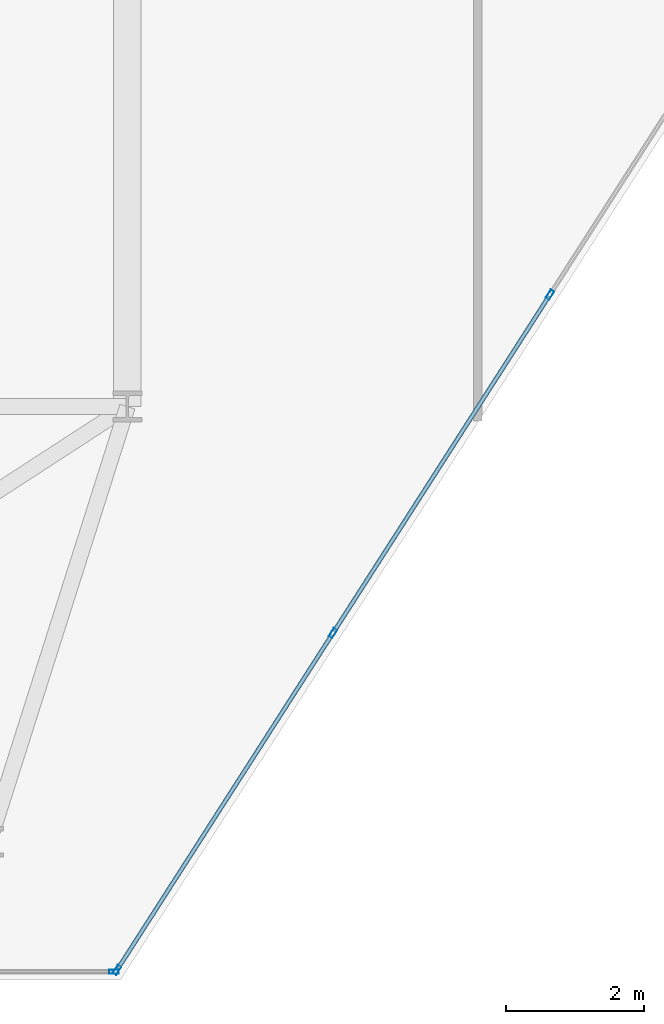
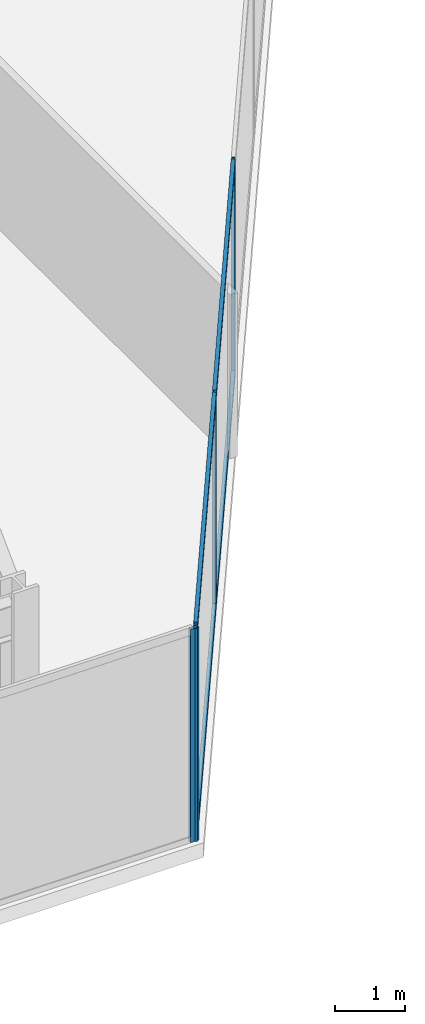
# One storey, part 7 of 26: 8 members, 2 elements without a shape of their own.
"""IFC4 building model written with IfcOpenShell, lengths in metres."""

import ifcopenshell
import ifcopenshell.guid

model = None  # the IFC model being written
_history = None  # IfcOwnerHistory: only IFC2X3 demands one
_inside = {}  # id of a spatial element -> (the spatial element, [elements in it])
_under = {}  # id of a project, library or spatial element -> (it, [spatial elements below it])
_declared = {}  # id of a project -> (the project, [libraries it declares])
_typed = {}  # id of a type object -> (the type object, [elements of that type])
_made_of = {}  # id of a material, layer set ... -> (it, [elements and type objects made of it])


def new_model(schema):
    """Start an empty IFC model of exactly this schema.

    Asked for "IFC4X3", IfcOpenShell would pick the latest addendum, in which some entities
    have other attributes; the version numbers below select the first issue.
    IFC2X3 requires an IfcOwnerHistory on every rooted entity: one is made here for all.
    """
    global model, _history
    if schema == "IFC4X3":
        model = ifcopenshell.file(schema_version=(4, 3, 0, 0))
    else:
        model = ifcopenshell.file(schema=schema)
    _inside.clear()
    _under.clear()
    _declared.clear()
    _typed.clear()
    _made_of.clear()
    _history = None
    if model.schema == "IFC2X3":
        org = make("IfcOrganization", Name="unknown")
        user = make(
            "IfcPersonAndOrganization",
            ThePerson=make("IfcPerson", FamilyName="unknown"),
            TheOrganization=org,
        )
        app = make(
            "IfcApplication",
            ApplicationDeveloper=org,
            Version="unknown",
            ApplicationFullName="unknown",
            ApplicationIdentifier="unknown",
        )
        _history = make(
            "IfcOwnerHistory",
            OwningUser=user,
            OwningApplication=app,
            ChangeAction="ADDED",
            CreationDate=0,
        )
    return model


def make(cls, **values):
    """One entity of the class cls with the attributes given. An attribute that is None is left unset."""
    return model.create_entity(
        cls, **{name: value for name, value in values.items() if value is not None}
    )


def rooted(cls, **values):
    """An entity with a GlobalId (a new one), such as an element, a storey or a relation."""
    return make(cls, GlobalId=ifcopenshell.guid.new(), OwnerHistory=_history, **values)


def si_unit(unit_type, name, prefix=None):
    """IfcSIUnit, for example si_unit("LENGTHUNIT", "METRE", prefix="MILLI")."""
    return make("IfcSIUnit", UnitType=unit_type, Prefix=prefix, Name=name)


def assignment(units):
    """IfcUnitAssignment: the units of a project."""
    return None if units is None else make("IfcUnitAssignment", Units=units)


def point(xyz):
    """IfcCartesianPoint."""
    return None if xyz is None else make("IfcCartesianPoint", Coordinates=xyz)


def direction(xyz):
    """IfcDirection."""
    return None if xyz is None else make("IfcDirection", DirectionRatios=xyz)


def frame(location, z_axis=None, x_axis=None):
    """IfcAxis2Placement3D, a coordinate frame: its origin and axes. An axis left out is left unset."""
    return make(
        "IfcAxis2Placement3D",
        Location=point(location),
        Axis=direction(z_axis),
        RefDirection=direction(x_axis),
    )


def frame_2d(location, x_axis=None):
    """IfcAxis2Placement2D, a coordinate frame in the plane: its origin and x axis."""
    return make(
        "IfcAxis2Placement2D", Location=point(location), RefDirection=direction(x_axis)
    )


def origin():
    """The frame at (0, 0, 0) with its axes left unset."""
    return frame((0.0, 0.0, 0.0))


def origin_2d():
    """The frame at (0, 0) in the plane with its x axis left unset."""
    return frame_2d((0.0, 0.0))


def place(relative_to, where):
    """IfcLocalPlacement: puts the frame where relative to a parent placement (None: the world)."""
    return make(
        "IfcLocalPlacement", PlacementRelTo=relative_to, RelativePlacement=where
    )


def context(
    kind, dimensions, precision=None, world=None, true_north=None, identifier=None
):
    """IfcGeometricRepresentationContext, for example the 3D "Model" context."""
    return make(
        "IfcGeometricRepresentationContext",
        ContextIdentifier=identifier,
        ContextType=kind,
        CoordinateSpaceDimension=dimensions,
        Precision=precision,
        WorldCoordinateSystem=world,
        TrueNorth=true_north,
    )


def subcontext(parent, identifier, kind, view, scale=None):
    """IfcGeometricRepresentationSubContext, for example "Body" below "Model"."""
    return make(
        "IfcGeometricRepresentationSubContext",
        ContextIdentifier=identifier,
        ContextType=kind,
        ParentContext=parent,
        TargetScale=scale,
        TargetView=view,
    )


def project(units=None, contexts=None):
    """IfcProject with its units and contexts."""
    return rooted(
        "IfcProject",
        Name="project",
        RepresentationContexts=contexts,
        UnitsInContext=assignment(units),
    )


def spatial(cls, under=None, at=None, **own):
    """A site, building, storey or space (cls), placed at a placement, below another one or the project."""
    s = rooted(cls, ObjectPlacement=at, **own)
    if under is not None:
        _under.setdefault(under.id(), (under, []))[1].append(s)
    return s


def profile(cls, at=None, kind="AREA", **sizes):
    """A parametric profile (cls). Its sizes go by their IFC names, for example OverallWidth=200.0."""
    return make(cls, ProfileType=kind, Position=at, **sizes)


def hollow_rectangle(**sizes):
    """IfcRectangleHollowProfileDef."""
    return profile("IfcRectangleHollowProfileDef", **sizes)


def extrude(swept, where, along, depth):
    """IfcExtrudedAreaSolid: the profile swept, set in the frame where, extruded along a direction by depth."""
    return make(
        "IfcExtrudedAreaSolid",
        SweptArea=swept,
        Position=where,
        ExtrudedDirection=direction(along),
        Depth=depth,
    )


def shape(context_of_items, identifier, shape_type, items):
    """IfcShapeRepresentation: the items that make up one representation, for example the "Body"."""
    return make(
        "IfcShapeRepresentation",
        ContextOfItems=context_of_items,
        RepresentationIdentifier=identifier,
        RepresentationType=shape_type,
        Items=items,
    )


def material(Name=None, Category=None):
    """IfcMaterial."""
    return make("IfcMaterial", Name=Name, Category=Category)


def layer(
    of_material, thickness, ventilated=None, Name=None, Category=None, Priority=None
):
    """IfcMaterialLayer: one layer of a wall or slab, of a material (None: an air gap)."""
    return make(
        "IfcMaterialLayer",
        Material=of_material,
        LayerThickness=thickness,
        IsVentilated=ventilated,
        Name=Name,
        Category=Category,
        Priority=Priority,
    )


def layer_set(layers, Name=None):
    """IfcMaterialLayerSet."""
    return make("IfcMaterialLayerSet", MaterialLayers=layers, LayerSetName=Name)


def material_profile(
    of_material, cross_section, Name=None, Category=None, Priority=None
):
    """IfcMaterialProfile: a cross section and its material."""
    return make(
        "IfcMaterialProfile",
        Name=Name,
        Material=of_material,
        Profile=cross_section,
        Priority=Priority,
        Category=Category,
    )


def profile_set(profiles, Name=None, composite=None):
    """IfcMaterialProfileSet."""
    return make(
        "IfcMaterialProfileSet",
        Name=Name,
        MaterialProfiles=profiles,
        CompositeProfile=composite,
    )


def made_of(thing, what):
    """Note that an element or type object is made of a material, layer set ...; save() writes the relation."""
    if what is not None:
        _made_of.setdefault(what.id(), (what, []))[1].append(thing)
    return thing


def type_object(cls, material=None, **own):
    """A type object (cls), such as IfcWallType, which elements share."""
    return made_of(rooted(cls, **own), material)


def element(
    cls,
    number,
    at=None,
    inside=None,
    cuts=None,
    type_object=None,
    material=None,
    context=None,
    identifier="Body",
    shape_type=None,
    held_by="IfcProductDefinitionShape",
    body=None,
    shapes=None,
    **own,
):
    """One element of the class cls, such as IfcWall. Its Tag is "e" and its number.

    at: its placement. inside: the storey or other place that contains it. cuts: it is an
    opening in that element (IfcRelVoidsElement). A single representation is given by context,
    identifier, shape_type and body (its items); several are given by shapes. held_by: the class
    of the entity that holds the representations. save() writes the other relations.
    """
    e = rooted(cls, Tag="e%d" % number, ObjectPlacement=at, **own)
    if body is not None:
        shapes = [shape(context, identifier, shape_type, body)]
    if shapes is not None:
        e.Representation = make(held_by, Representations=shapes)
    if inside is not None:
        _inside.setdefault(inside.id(), (inside, []))[1].append(e)
    if cuts is not None:
        rooted(
            "IfcRelVoidsElement", RelatingBuildingElement=cuts, RelatedOpeningElement=e
        )
    if type_object is not None:
        _typed.setdefault(type_object.id(), (type_object, []))[1].append(e)
    return made_of(e, material)


def aggregate(whole, parts):
    """IfcRelAggregates: a whole, such as a stair, and the parts it consists of."""
    return rooted("IfcRelAggregates", RelatingObject=whole, RelatedObjects=parts)


def save(model, path):
    """Write the relations noted so far, then the file.

    IfcRelAggregates (storeys below a building ...), IfcRelContainedInSpatialStructure (elements
    in a storey), IfcRelDefinesByType, IfcRelAssociatesMaterial and IfcRelDeclares: one each for
    every whole, place, type object, material and project.
    """
    for whole, parts in _under.values():
        aggregate(whole, parts)
    for where, things in _inside.values():
        rooted(
            "IfcRelContainedInSpatialStructure",
            RelatedElements=things,
            RelatingStructure=where,
        )
    for kind, things in _typed.values():
        rooted("IfcRelDefinesByType", RelatedObjects=things, RelatingType=kind)
    for what, things in _made_of.values():
        rooted("IfcRelAssociatesMaterial", RelatedObjects=things, RelatingMaterial=what)
    for by, libraries in _declared.values():
        rooted("IfcRelDeclares", RelatingContext=by, RelatedDefinitions=libraries)
    model.write(path)


model = new_model("IFC4")

# Units and contexts
model_context = context("Model", 3, precision=1e-05, world=origin(), true_north=direction((0.0, 1.0)))
body_context = subcontext(model_context, "Body", "Model", "MODEL_VIEW")
ifc_project = project(units=[si_unit("LENGTHUNIT", "METRE"), si_unit("AREAUNIT", "SQUARE_METRE"), si_unit("VOLUMEUNIT", "CUBIC_METRE"), si_unit("PLANEANGLEUNIT", "RADIAN"), si_unit("MASSUNIT", "GRAM", prefix="KILO")], contexts=[model_context])

# Site, building, storey
site_placement = place(None, origin())
site = spatial("IfcSite", under=ifc_project, at=site_placement, CompositionType="ELEMENT")
building_placement = place(site_placement, origin())
building = spatial("IfcBuilding", under=site, at=building_placement, Name="Kravanh Interchange Tower", CompositionType="ELEMENT")
storey_placement = place(building_placement, frame((0.0, 0.0, 152.0)))
storey = spatial("IfcBuildingStorey", under=building, at=storey_placement, Name="L36", CompositionType="ELEMENT", Elevation=152.0)

# Curtain wall, members
ifc_material_1 = material(Name="Anodised Bronze Aluminium", Category="aluminium")
ifc_layer = layer(ifc_material_1, 0.179931640625)
ifc_layer_set = layer_set([ifc_layer], Name="Unitised Curtain Wall System CW-Z2 Mid Office")
curtain_wall_type = type_object("IfcCurtainWallType", Name="Unitised Curtain Wall System CW-Z2 Mid Office", PredefinedType="NOTDEFINED", material=ifc_layer_set)
curtain_wall_1_placement = place(storey_placement, origin())
curtain_wall_1 = element("IfcCurtainWall", 1, at=curtain_wall_1_placement, inside=storey, type_object=curtain_wall_type, Name="L36 Unitised Curtain Wall CW-L36-05", PredefinedType="NOTDEFINED")
ifc_material_2 = material(Name="Anodised Bronze Aluminium", Category="aluminium")
ifc_material_profile_1 = material_profile(ifc_material_2, hollow_rectangle(XDim=0.06005859375, YDim=0.139892578125, WallThickness=0.00390625, at=origin_2d()), Name="ALU60X140X4")
ifc_profile_set_1 = profile_set([ifc_material_profile_1], Name="Anodised Bronze Aluminium")
member_type_1 = type_object("IfcMemberType", Name="Curtain Wall Mullion ALU60X140X4 Bronze", PredefinedType="MULLION", material=ifc_profile_set_1)
member_1_placement = place(storey_placement, frame((33.317138671875, 16.12109375, 0.0), z_axis=(0.0, 0.0, 1.0), x_axis=(0.841879939476, -0.539664865919, 0.0)))
member_1 = element("IfcMember", 2, at=member_1_placement, type_object=member_type_1, Name="CW-Z2 mullion 3", PredefinedType="MULLION", context=body_context, shape_type="SweptSolid", body=[
    extrude(hollow_rectangle(XDim=0.06005859375, YDim=0.139892578125, WallThickness=0.00390625, at=origin_2d()), origin(), (0.0, 0.0, 1.0), 3.719970703125),
])
member_2_placement = place(storey_placement, frame((30.17578125, 11.220703125, 0.0), z_axis=(0.0, 0.0, 1.0), x_axis=(0.841879939476, -0.539664865919, 0.0)))
member_2 = element("IfcMember", 3, at=member_2_placement, type_object=member_type_1, Name="CW-Z2 mullion 4", PredefinedType="MULLION", context=body_context, shape_type="SweptSolid", body=[
    extrude(hollow_rectangle(XDim=0.06005859375, YDim=0.139892578125, WallThickness=0.00390625, at=origin_2d()), origin(), (0.0, 0.0, 1.0), 3.719970703125),
])
member_3_placement = place(storey_placement, frame((27.050537109375, 6.34521484375, 0.0), z_axis=(0.0, 0.0, 1.0), x_axis=(0.841879939476, -0.539664865919, 0.0)))
member_3 = element("IfcMember", 4, at=member_3_placement, type_object=member_type_1, Name="CW-Z2 mullion 5", PredefinedType="MULLION", context=body_context, shape_type="SweptSolid", body=[
    extrude(hollow_rectangle(XDim=0.06005859375, YDim=0.139892578125, WallThickness=0.00390625, at=origin_2d()), origin(), (0.0, 0.0, 1.0), 3.719970703125),
])

# Curtain wall, member
curtain_wall_2_placement = place(storey_placement, origin())
curtain_wall_2 = element("IfcCurtainWall", 5, at=curtain_wall_2_placement, inside=storey, type_object=curtain_wall_type, Name="L36 Unitised Curtain Wall CW-L36-06", PredefinedType="NOTDEFINED")
member_4_placement = place(storey_placement, frame((27.00439453125, 6.320068359375, 0.0), z_axis=(0.0, 0.0, 1.0), x_axis=(0.0, -1.0, 0.0)))
member_4 = element("IfcMember", 6, at=member_4_placement, type_object=member_type_1, Name="CW-Z2 mullion 1", PredefinedType="MULLION", context=body_context, shape_type="SweptSolid", body=[
    extrude(hollow_rectangle(XDim=0.06005859375, YDim=0.139892578125, WallThickness=0.00390625, at=origin_2d()), origin(), (0.0, 0.0, 1.0), 3.719970703125),
])
aggregate(curtain_wall_2, [member_4])

# Member
ifc_material_3 = material(Name="Anodised Bronze Aluminium", Category="aluminium")
ifc_material_profile_2 = material_profile(ifc_material_3, hollow_rectangle(XDim=0.06005859375, YDim=0.139892578125, WallThickness=0.00390625, at=origin_2d()), Name="ALU60X140X4")
ifc_profile_set_2 = profile_set([ifc_material_profile_2], Name="Anodised Bronze Aluminium")
member_type_2 = type_object("IfcMemberType", Name="Curtain Wall Transom ALU60X140X4 Bronze", PredefinedType="USERDEFINED", material=ifc_profile_set_2)
member_5_placement = place(storey_placement, frame((33.301025390625, 16.095947265625, 0.030029296875), z_axis=(-0.539677666788, -0.84187173368, 0.0), x_axis=(0.84187173368, -0.539677666788, 0.0)))
member_5 = element("IfcMember", 7, at=member_5_placement, type_object=member_type_2, Name="CW-Z2 transom 3.1", ObjectType="TRANSOM", PredefinedType="USERDEFINED", context=body_context, shape_type="SweptSolid", body=[
    extrude(hollow_rectangle(XDim=0.06005859375, YDim=0.139892578125, WallThickness=0.00390625, at=origin_2d()), origin(), (0.0, 0.0, 1.0), 5.760986328125),
])

member_6_placement = place(storey_placement, frame((33.301025390625, 16.095947265625, 3.68994140625), z_axis=(-0.539677666788, -0.84187173368, 0.0), x_axis=(0.84187173368, -0.539677666788, 0.0)))
member_6 = element("IfcMember", 8, at=member_6_placement, type_object=member_type_2, Name="CW-Z2 transom 3.2", ObjectType="TRANSOM", PredefinedType="USERDEFINED", context=body_context, shape_type="SweptSolid", body=[
    extrude(hollow_rectangle(XDim=0.06005859375, YDim=0.139892578125, WallThickness=0.00390625, at=origin_2d()), origin(), (0.0, 0.0, 1.0), 5.760986328125),
])

member_7_placement = place(storey_placement, frame((30.15966796875, 11.1953125, 0.030029296875), z_axis=(-0.53966766312, -0.841878146398, 0.0), x_axis=(0.841878146398, -0.53966766312, 0.0)))
member_7 = element("IfcMember", 9, at=member_7_placement, type_object=member_type_2, Name="CW-Z2 transom 4.1", ObjectType="TRANSOM", PredefinedType="USERDEFINED", context=body_context, shape_type="SweptSolid", body=[
    extrude(hollow_rectangle(XDim=0.06005859375, YDim=0.139892578125, WallThickness=0.00390625, at=origin_2d()), origin(), (0.0, 0.0, 1.0), 5.73095703125),
])

member_8_placement = place(storey_placement, frame((30.15966796875, 11.1953125, 3.68994140625), z_axis=(-0.53966766312, -0.841878146398, 0.0), x_axis=(0.841878146398, -0.53966766312, 0.0)))
member_8 = element("IfcMember", 10, at=member_8_placement, type_object=member_type_2, Name="CW-Z2 transom 4.2", ObjectType="TRANSOM", PredefinedType="USERDEFINED", context=body_context, shape_type="SweptSolid", body=[
    extrude(hollow_rectangle(XDim=0.06005859375, YDim=0.139892578125, WallThickness=0.00390625, at=origin_2d()), origin(), (0.0, 0.0, 1.0), 5.73095703125),
])

aggregate(curtain_wall_1, [member_1, member_2, member_3, member_5, member_6, member_7, member_8])

save(model, "model.ifc")
